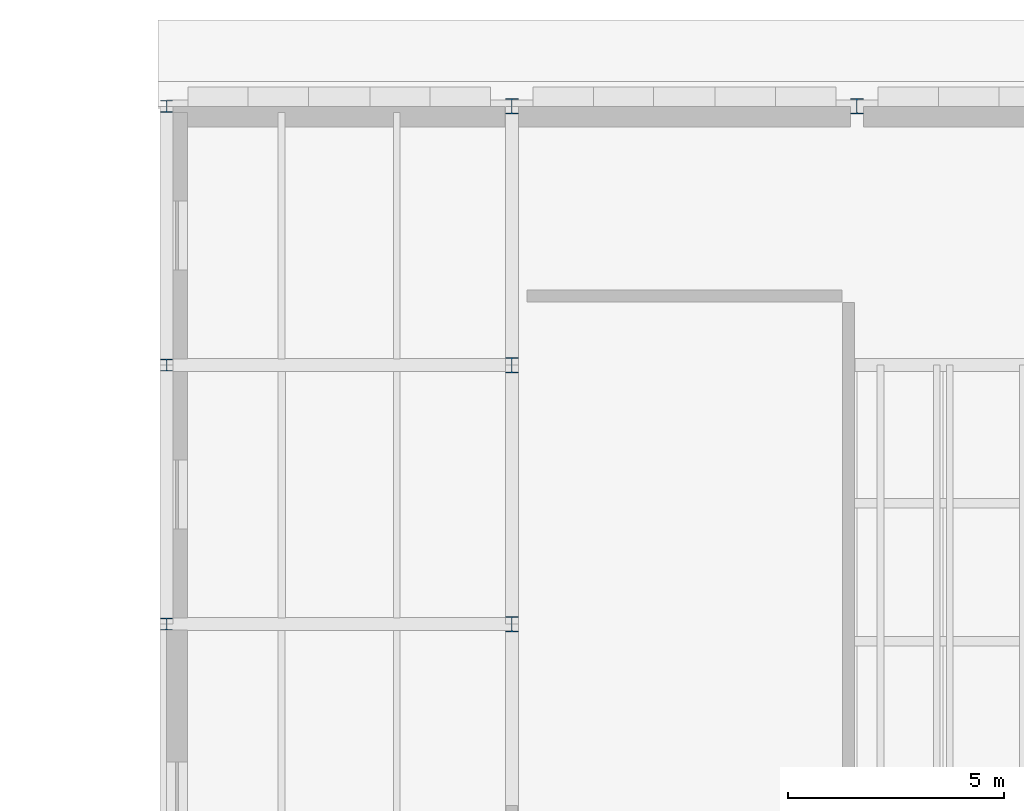
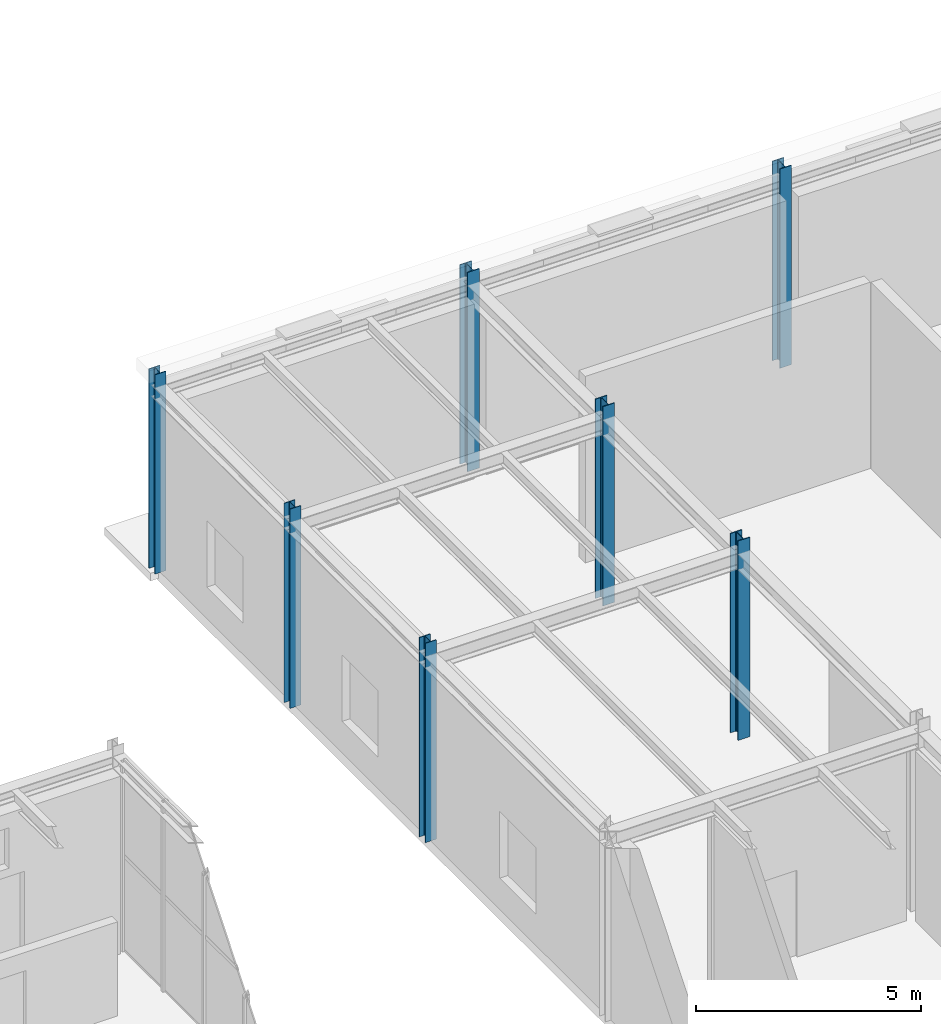
# One storey, part 17 of 129: 7 columns.
"""IFC4 building model written with IfcOpenShell, lengths in metres."""

from ifc_helpers import new_model, si_unit, direction, frame, origin, origin_2d, place, context, subcontext, project, spatial, i_section, extrude, material, material_profile, profile_set, type_object, element, save


model = new_model("IFC4")

# Units and contexts
model_context = context("Model", 3, precision=1e-05, world=origin(), true_north=direction((0.0, 1.0)))
body_context = subcontext(model_context, "Body", "Model", "MODEL_VIEW")
ifc_project = project(units=[si_unit("LENGTHUNIT", "METRE"), si_unit("AREAUNIT", "SQUARE_METRE"), si_unit("VOLUMEUNIT", "CUBIC_METRE"), si_unit("PLANEANGLEUNIT", "RADIAN"), si_unit("MASSUNIT", "GRAM", prefix="KILO")], contexts=[model_context])

# Site, building, storey
site_placement = place(None, origin())
site = spatial("IfcSite", under=ifc_project, at=site_placement, CompositionType="ELEMENT")
building_placement = place(site_placement, origin())
building = spatial("IfcBuilding", under=site, at=building_placement, Name="Sundkrona Museum", CompositionType="ELEMENT")
storey_placement = place(building_placement, origin())
storey = spatial("IfcBuildingStorey", under=building, at=storey_placement, Name="L00", CompositionType="ELEMENT", Elevation=0.0)

# Columns
ifc_material = material(Name="Steel S355J2", Category="steel")
ifc_material_profile_1 = material_profile(ifc_material, i_section(OverallWidth=0.280029296875, OverallDepth=0.280029296875, WebThickness=0.010498046875, FlangeThickness=0.01806640625, FilletRadius=0.02392578125, at=origin_2d()), Name="HEB 280")
ifc_profile_set_1 = profile_set([ifc_material_profile_1], Name="Steel S355J2")
column_type_1 = type_object("IfcColumnType", Name="C-HEB280", PredefinedType="COLUMN", material=ifc_profile_set_1)
for number, where, z_axis, x_axis, name in (
    (1, (104.0, 102.0, 0.0), (0.0, 0.0, 1.0), (1.0, 0.0, 0.0), "L00 Column P/14"),
    (2, (104.0, 108.0, 0.0), (0.0, 0.0, 1.0), (1.0, 0.0, 0.0), "L00 Column Q/14"),
    (3, (104.0, 114.0, 0.0), (0.0, 0.0, 1.0), (1.0, 0.0, 0.0), "L00 Column R/14"),
):
    element("IfcColumn", number, at=place(storey_placement, frame(where, z_axis=z_axis, x_axis=x_axis)), inside=storey, type_object=column_type_1, Name=name, PredefinedType="COLUMN", context=body_context, shape_type="SweptSolid", body=[
        extrude(i_section(OverallWidth=0.280029296875, OverallDepth=0.280029296875, WebThickness=0.010498046875, FlangeThickness=0.01806640625, FilletRadius=0.02392578125, at=origin_2d()), origin(), (0.0, 0.0, 1.0), 5.39990234375),
    ])
ifc_material_profile_2 = material_profile(ifc_material, i_section(OverallWidth=0.300048828125, OverallDepth=0.360107421875, WebThickness=0.012451171875, FlangeThickness=0.0224609375, FilletRadius=0.027099609375, at=origin_2d()), Name="HEB 360")
ifc_profile_set_2 = profile_set([ifc_material_profile_2], Name="Steel S355J2")
column_type_2 = type_object("IfcColumnType", Name="C-HEB360", PredefinedType="COLUMN", material=ifc_profile_set_2)
for number, where, z_axis, x_axis, name in (
    (4, (112.0, 102.0, 0.0), (0.0, 0.0, 1.0), (1.0, 0.0, 0.0), "L00 Column P/15"),
    (5, (112.0, 108.0, 0.0), (0.0, 0.0, 1.0), (1.0, 0.0, 0.0), "L00 Column Q/15"),
    (6, (112.0, 114.0, 0.0), (0.0, 0.0, 1.0), (1.0, 0.0, 0.0), "L00 Column R/15"),
    (7, (120.0, 114.0, 0.0), (0.0, 0.0, 1.0), (1.0, 0.0, 0.0), "L00 Column R/16"),
):
    element("IfcColumn", number, at=place(storey_placement, frame(where, z_axis=z_axis, x_axis=x_axis)), inside=storey, type_object=column_type_2, Name=name, PredefinedType="COLUMN", context=body_context, shape_type="SweptSolid", body=[
        extrude(i_section(OverallWidth=0.300048828125, OverallDepth=0.360107421875, WebThickness=0.012451171875, FlangeThickness=0.0224609375, FilletRadius=0.027099609375, at=origin_2d()), origin(), (0.0, 0.0, 1.0), 5.39990234375),
    ])

save(model, "model.ifc")
